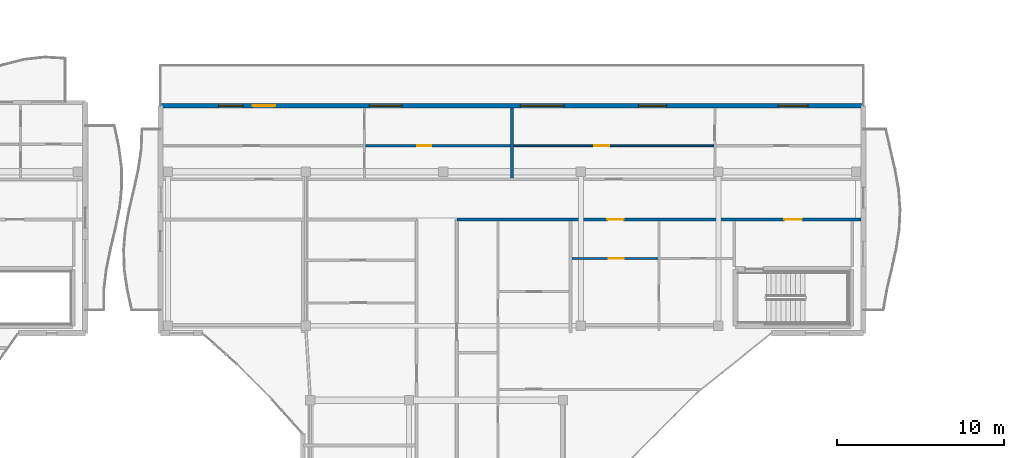
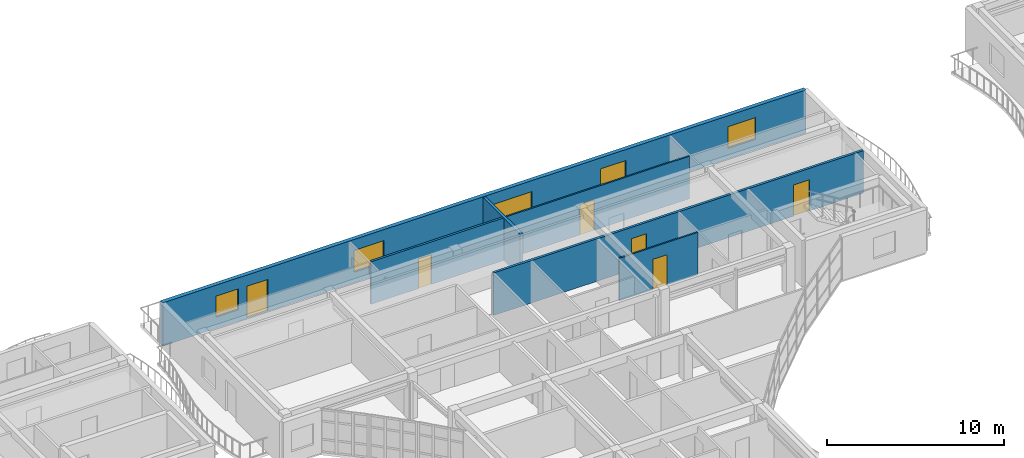
# One storey, part 35 of 68: 6 doors, 6 walls, 5 windows, 11 openings.
"""IFC4 building model written with IfcOpenShell, lengths in metres."""

from ifc_helpers import new_model, si_unit, direction, frame, frame_2d, origin, place, context, subcontext, project, spatial, rectangle, extrude, material, layer, layer_set, type_object, element, fill, save


model = new_model("IFC4")

# Units and contexts
model_context = context("Model", 3, precision=1e-05, world=origin(), true_north=direction((0.0, 1.0)))
body_context = subcontext(model_context, "Body", "Model", "MODEL_VIEW")
ifc_project = project(units=[si_unit("LENGTHUNIT", "METRE"), si_unit("AREAUNIT", "SQUARE_METRE"), si_unit("VOLUMEUNIT", "CUBIC_METRE"), si_unit("PLANEANGLEUNIT", "RADIAN"), si_unit("MASSUNIT", "GRAM", prefix="KILO")], contexts=[model_context])

# Site, building, storey
site_placement = place(None, origin())
site = spatial("IfcSite", under=ifc_project, at=site_placement, CompositionType="ELEMENT")
building_placement = place(site_placement, origin())
building = spatial("IfcBuilding", under=site, at=building_placement, Name="Keldmere Railside Commons", CompositionType="ELEMENT")
storey_placement = place(building_placement, frame((0.0, 0.0, 23.360107421875)))
storey = spatial("IfcBuildingStorey", under=building, at=storey_placement, Name="L07", CompositionType="ELEMENT", Elevation=23.360107421875)

# Wall
ifc_material_1 = material(Name="Acoustic Gypsum Board Partition", Category="gypsum")
ifc_layer_1 = layer(ifc_material_1, 0.179931640625, Name="Acoustic Demising Partition 180")
ifc_layer_set_1 = layer_set([ifc_layer_1], Name="Acoustic Gypsum Board Partition")
wall_type_1 = type_object("IfcWallType", Name="Acoustic Demising Partition 180", PredefinedType="PARTITIONING", material=ifc_layer_set_1)
wall_1_placement = place(storey_placement, frame((60.5, 109.280029296875, 0.0), z_axis=(0.0, 0.0, 1.0), x_axis=(0.0, 1.0, 0.0)))
element("IfcWall", 1, at=wall_1_placement, inside=storey, type_object=wall_type_1, Name="IW-1 IW-L07-0797", PredefinedType="PARTITIONING", context=body_context, shape_type="SweptSolid", body=[
    extrude(rectangle(XDim=4.18994140625, YDim=0.179931640625, at=frame_2d((2.094970703125, 0.0))), origin(), (0.0, 0.0, 1.0), 2.934814453125),
])

# Wall, opening, door
ifc_layer_2 = layer(ifc_material_1, 0.10009765625, Name="Closet Light Partition 100")
ifc_layer_set_2 = layer_set([ifc_layer_2], Name="Acoustic Gypsum Board Partition")
wall_type_2 = type_object("IfcWallType", Name="Closet Light Partition 100", PredefinedType="PARTITIONING", material=ifc_layer_set_2)
wall_2_placement = place(storey_placement, frame((60.590087890625, 111.2099609375, 0.0), z_axis=(0.0, 0.0, 1.0), x_axis=(1.0, 0.0, 0.0)))
wall_2 = element("IfcWall", 2, at=wall_2_placement, inside=storey, type_object=wall_type_2, Name="IW-6 IW-L07-0803", PredefinedType="PARTITIONING", context=body_context, shape_type="SweptSolid", body=[
    extrude(rectangle(XDim=11.969970703125, YDim=0.10009765625, at=frame_2d((5.98486328125, 0.0))), origin(), (0.0, 0.0, 1.0), 2.934814453125),
])
opening_1_placement = place(wall_2_placement, frame((4.81201171875, 0.0, 0.0)))
opening_1 = element("IfcOpeningElement", 3, at=opening_1_placement, cuts=wall_2, Name="Opening ID-03", PredefinedType="OPENING", context=body_context, shape_type="SweptSolid", body=[
    extrude(rectangle(XDim=0.919921875, YDim=2.10009765625, at=frame_2d((0.4599609375, 1.050048828125))), frame((0.0, 0.06005859375, 0.0), z_axis=(0.0, -1.0, 0.0), x_axis=(1.0, 0.0, 0.0)), (0.0, 0.0, 1.0), 0.1201171875),
])
ifc_material_2 = material(Name="Engineered Oak Timber", Category="wood")
door_type_1 = type_object("IfcDoorType", Name="Kitchen Pocket-Frame Swing Door 920x2100", OperationType="NOTDEFINED", PredefinedType="DOOR", material=ifc_material_2)
door_1_placement = place(opening_1_placement, origin())
door_1 = element("IfcDoor", 4, at=door_1_placement, inside=storey, type_object=door_type_1, Name="ID-03 IDR-L07-0686", OperationType="SINGLE_SWING_RIGHT", OverallHeight=2.10009765625, OverallWidth=0.919921875, PredefinedType="DOOR", context=body_context, shape_type="SweptSolid", body=[
    extrude(rectangle(XDim=0.919921875, YDim=2.10009765625, at=frame_2d((0.4599609375, 1.050048828125))), frame((0.0, 0.02490234375, 0.0), z_axis=(0.0, -1.0, 0.0), x_axis=(1.0, 0.0, 0.0)), (0.0, 0.0, 1.0), 0.050048828125),
])
fill(opening_1, door_1)

wall_3_placement = place(storey_placement, frame((64.090087890625, 104.469970703125, 0.0), z_axis=(0.0, 0.0, 1.0), x_axis=(1.0, 0.0, 0.0)))
wall_3 = element("IfcWall", 5, at=wall_3_placement, inside=storey, type_object=wall_type_2, Name="IW-6 IW-L07-0806", PredefinedType="PARTITIONING", context=body_context, shape_type="SweptSolid", body=[
    extrude(rectangle(XDim=5.1298828125, YDim=0.10009765625, at=frame_2d((2.56494140625, 0.0))), origin(), (0.0, 0.0, 1.0), 2.934814453125),
])
opening_2_placement = place(wall_3_placement, frame((2.1796875, 0.0, 0.0)))
opening_2 = element("IfcOpeningElement", 6, at=opening_2_placement, cuts=wall_3, Name="Opening ID-03", PredefinedType="OPENING", context=body_context, shape_type="SweptSolid", body=[
    extrude(rectangle(XDim=0.919921875, YDim=2.10009765625, at=frame_2d((0.4599609375, 1.050048828125))), frame((0.0, 0.06005859375, 0.0), z_axis=(0.0, -1.0, 0.0), x_axis=(1.0, 0.0, 0.0)), (0.0, 0.0, 1.0), 0.1201171875),
])
door_2_placement = place(opening_2_placement, origin())
door_2 = element("IfcDoor", 7, at=door_2_placement, inside=storey, type_object=door_type_1, Name="ID-03 IDR-L07-0690", OperationType="SINGLE_SWING_RIGHT", OverallHeight=2.10009765625, OverallWidth=0.919921875, PredefinedType="DOOR", context=body_context, shape_type="SweptSolid", body=[
    extrude(rectangle(XDim=0.919921875, YDim=2.10009765625, at=frame_2d((0.4599609375, 1.050048828125))), frame((0.0, 0.02490234375, 0.0), z_axis=(0.0, -1.0, 0.0), x_axis=(1.0, 0.0, 0.0)), (0.0, 0.0, 1.0), 0.050048828125),
])
fill(opening_2, door_2)

# Wall, openings, doors
ifc_layer_3 = layer(ifc_material_1, 0.159912109375, Name="Corridor Fire Partition 160")
ifc_layer_set_3 = layer_set([ifc_layer_3], Name="Acoustic Gypsum Board Partition")
wall_type_3 = type_object("IfcWallType", Name="Corridor Fire Partition 160", PredefinedType="PARTITIONING", material=ifc_layer_set_3)
wall_4_placement = place(storey_placement, frame((57.199951171875, 106.800048828125, 0.0), z_axis=(0.0, 0.0, 1.0), x_axis=(1.0, 0.0, 0.0)))
wall_4 = element("IfcWall", 8, at=wall_4_placement, inside=storey, type_object=wall_type_3, Name="IW-2 IW-L07-0775", PredefinedType="PARTITIONING", context=body_context, shape_type="SweptSolid", body=[
    extrude(rectangle(XDim=24.14013671875, YDim=0.159912109375, at=frame_2d((12.070068359375, 0.0))), origin(), (0.0, 0.0, 1.0), 2.934814453125),
])
opening_3_placement = place(wall_4_placement, frame((19.574951171875, 0.0, 0.0)))
opening_3 = element("IfcOpeningElement", 9, at=opening_3_placement, cuts=wall_4, Name="Opening FD-1", PredefinedType="OPENING", context=body_context, shape_type="SweptSolid", body=[
    extrude(rectangle(XDim=1.050048828125, YDim=2.14990234375, at=frame_2d((0.52490234375, 1.074951171875))), frame((0.0, 0.08984375, 0.0), z_axis=(0.0, -1.0, 0.0), x_axis=(1.0, 0.0, 0.0)), (0.0, 0.0, 1.0), 0.179931640625),
])
opening_4_placement = place(wall_4_placement, frame((8.9951171875, 0.0, 0.0)))
opening_4 = element("IfcOpeningElement", 10, at=opening_4_placement, cuts=wall_4, Name="Opening FD-7", PredefinedType="OPENING", context=body_context, shape_type="SweptSolid", body=[
    extrude(rectangle(XDim=0.97998046875, YDim=2.14990234375, at=frame_2d((0.489990234375, 1.074951171875))), frame((0.0, 0.08984375, 0.0), z_axis=(0.0, -1.0, 0.0), x_axis=(1.0, 0.0, 0.0)), (0.0, 0.0, 1.0), 0.179931640625),
])
door_type_2 = type_object("IfcDoorType", Name="Apartment Entrance Acoustic Fire Door 980x2150", OperationType="NOTDEFINED", PredefinedType="DOOR", material=ifc_material_2)
door_3_placement = place(opening_4_placement, origin())
door_3 = element("IfcDoor", 11, at=door_3_placement, inside=storey, type_object=door_type_2, Name="FD-7 IDR-L07-0689", OperationType="SINGLE_SWING_LEFT", OverallHeight=2.14990234375, OverallWidth=0.97998046875, PredefinedType="DOOR", context=body_context, shape_type="SweptSolid", body=[
    extrude(rectangle(XDim=0.97998046875, YDim=2.14990234375, at=frame_2d((0.489990234375, 1.074951171875))), frame((0.0, 0.02490234375, 0.0), z_axis=(0.0, -1.0, 0.0), x_axis=(1.0, 0.0, 0.0)), (0.0, 0.0, 1.0), 0.050048828125),
])
fill(opening_4, door_3)
ifc_material_3 = material(Name="Steel F-24 (S235)", Category="steel")
door_type_3 = type_object("IfcDoorType", Name="Stair Core Fire Door 1050x2150", OperationType="NOTDEFINED", PredefinedType="DOOR", material=ifc_material_3)
door_4_placement = place(opening_3_placement, origin())
door_4 = element("IfcDoor", 12, at=door_4_placement, inside=storey, type_object=door_type_3, Name="FD-1 IDR-L07-0660", OperationType="SINGLE_SWING_RIGHT", OverallHeight=2.14990234375, OverallWidth=1.050048828125, PredefinedType="DOOR", context=body_context, shape_type="SweptSolid", body=[
    extrude(rectangle(XDim=1.050048828125, YDim=2.14990234375, at=frame_2d((0.52490234375, 1.074951171875))), frame((0.0, 0.02490234375, 0.0), z_axis=(0.0, -1.0, 0.0), x_axis=(1.0, 0.0, 0.0)), (0.0, 0.0, 1.0), 0.050048828125),
])
fill(opening_3, door_4)

# Wall, openings, windows, door
ifc_material_4 = material(Name="Terracotta Brick Masonry", Category="masonry")
ifc_layer_4 = layer(ifc_material_4, 0.260009765625, Name="Terracotta Cavity Wall 260")
ifc_layer_set_4 = layer_set([ifc_layer_4], Name="Terracotta Brick Masonry")
wall_type_4 = type_object("IfcWallType", Name="Terracotta Cavity Wall 260", PredefinedType="SOLIDWALL", material=ifc_layer_set_4)
wall_5_placement = place(storey_placement, frame((39.5, 113.60009765625, 0.0), z_axis=(0.0, 0.0, 1.0), x_axis=(1.0, 0.0, 0.0)))
wall_5 = element("IfcWall", 13, at=wall_5_placement, inside=storey, type_object=wall_type_4, Name="EW-1 EXTC-L07-0384", PredefinedType="SOLIDWALL", context=body_context, shape_type="SweptSolid", body=[
    extrude(rectangle(XDim=42.0, YDim=0.260009765625, at=frame_2d((21.0, 0.0))), origin(), (0.0, 0.0, 1.0), 2.97998046875),
])
opening_5_placement = place(wall_5_placement, frame((5.5, 0.0, 0.0)))
opening_5 = element("IfcOpeningElement", 14, at=opening_5_placement, cuts=wall_5, Name="Opening BD-03", PredefinedType="OPENING", context=body_context, shape_type="SweptSolid", body=[
    extrude(rectangle(XDim=1.35009765625, YDim=2.199951171875, at=frame_2d((0.675048828125, 1.10009765625))), frame((0.0, 0.139892578125, 0.0), z_axis=(0.0, -1.0, 0.0), x_axis=(1.0, 0.0, 0.0)), (0.0, 0.0, 1.0), 0.280029296875),
])
opening_6_placement = place(wall_5_placement, frame((3.47509765625, 0.0, 0.77001953125)))
opening_6 = element("IfcOpeningElement", 15, at=opening_6_placement, cuts=wall_5, Name="Opening WN-24", PredefinedType="OPENING", context=body_context, shape_type="SweptSolid", body=[
    extrude(rectangle(XDim=1.449951171875, YDim=1.449951171875, at=frame_2d((0.72509765625, 0.72509765625))), frame((0.0, 0.139892578125, 0.0), z_axis=(0.0, -1.0, 0.0), x_axis=(1.0, 0.0, 0.0)), (0.0, 0.0, 1.0), 0.280029296875),
])
opening_7_placement = place(wall_5_placement, frame((12.47509765625, 0.0, 0.719970703125)))
opening_7 = element("IfcOpeningElement", 16, at=opening_7_placement, cuts=wall_5, Name="Opening WN-38", PredefinedType="OPENING", context=body_context, shape_type="SweptSolid", body=[
    extrude(rectangle(XDim=1.949951171875, YDim=1.5, at=frame_2d((0.97509765625, 0.75))), frame((0.0, 0.139892578125, 0.0), z_axis=(0.0, -1.0, 0.0), x_axis=(1.0, 0.0, 0.0)), (0.0, 0.0, 1.0), 0.280029296875),
])
opening_8_placement = place(wall_5_placement, frame((21.5, 0.0, 0.669921875)))
opening_8 = element("IfcOpeningElement", 17, at=opening_8_placement, cuts=wall_5, Name="Opening WN-39", PredefinedType="OPENING", context=body_context, shape_type="SweptSolid", body=[
    extrude(rectangle(XDim=2.60009765625, YDim=1.550048828125, at=frame_2d((1.300048828125, 0.77490234375))), frame((0.0, 0.139892578125, 0.0), z_axis=(0.0, -1.0, 0.0), x_axis=(1.0, 0.0, 0.0)), (0.0, 0.0, 1.0), 0.280029296875),
])
opening_9_placement = place(wall_5_placement, frame((28.56005859375, 0.0, 0.719970703125)))
opening_9 = element("IfcOpeningElement", 18, at=opening_9_placement, cuts=wall_5, Name="Opening WN-40", PredefinedType="OPENING", context=body_context, shape_type="SweptSolid", body=[
    extrude(rectangle(XDim=1.679931640625, YDim=1.5, at=frame_2d((0.83984375, 0.75))), frame((0.0, 0.139892578125, 0.0), z_axis=(0.0, -1.0, 0.0), x_axis=(1.0, 0.0, 0.0)), (0.0, 0.0, 1.0), 0.280029296875),
])
opening_10_placement = place(wall_5_placement, frame((36.89990234375, 0.0, 0.719970703125)))
opening_10 = element("IfcOpeningElement", 19, at=opening_10_placement, cuts=wall_5, Name="Opening WN-01", PredefinedType="OPENING", context=body_context, shape_type="SweptSolid", body=[
    extrude(rectangle(XDim=1.800048828125, YDim=1.5, at=frame_2d((0.89990234375, 0.75))), frame((0.0, 0.139892578125, 0.0), z_axis=(0.0, -1.0, 0.0), x_axis=(1.0, 0.0, 0.0)), (0.0, 0.0, 1.0), 0.280029296875),
])
ifc_material_5 = material(Name="Low-E Insulated Double Glazing", Category="glass")
window_type_1 = type_object("IfcWindowType", Name="Adaptable Apartment Wide Window 1950x1500", PartitioningType="SINGLE_PANEL", PredefinedType="WINDOW", material=ifc_material_5)
window_1_placement = place(opening_7_placement, origin())
window_1 = element("IfcWindow", 20, at=window_1_placement, inside=storey, type_object=window_type_1, Name="WN-38 WIN-L07-0296", OverallHeight=1.5, OverallWidth=1.949951171875, PartitioningType="SINGLE_PANEL", PredefinedType="WINDOW", context=body_context, shape_type="SweptSolid", body=[
    extrude(rectangle(XDim=1.949951171875, YDim=1.5, at=frame_2d((0.97509765625, 0.75))), frame((0.0, 0.030029296875, 0.0), z_axis=(0.0, -1.0, 0.0), x_axis=(1.0, 0.0, 0.0)), (0.0, 0.0, 1.0), 0.06005859375),
])
fill(opening_7, window_1)
window_type_2 = type_object("IfcWindowType", Name="Living Room North Casement Window 1800x1500", PartitioningType="SINGLE_PANEL", PredefinedType="WINDOW", material=ifc_material_5)
window_2_placement = place(opening_10_placement, origin())
window_2 = element("IfcWindow", 21, at=window_2_placement, inside=storey, type_object=window_type_2, Name="WN-01 WIN-L07-0299", OverallHeight=1.5, OverallWidth=1.800048828125, PartitioningType="SINGLE_PANEL", PredefinedType="WINDOW", context=body_context, shape_type="SweptSolid", body=[
    extrude(rectangle(XDim=1.800048828125, YDim=1.5, at=frame_2d((0.89990234375, 0.75))), frame((0.0, 0.030029296875, 0.0), z_axis=(0.0, -1.0, 0.0), x_axis=(1.0, 0.0, 0.0)), (0.0, 0.0, 1.0), 0.06005859375),
])
fill(opening_10, window_2)
ifc_material_6 = material(Name="Thermally Broken Aluminium", Category="aluminium")
door_type_4 = type_object("IfcDoorType", Name="Planted Roof-Terrace Lounge Door 1350x2200", OperationType="NOTDEFINED", PredefinedType="DOOR", material=ifc_material_6)
door_5_placement = place(opening_5_placement, origin())
door_5 = element("IfcDoor", 22, at=door_5_placement, inside=storey, type_object=door_type_4, Name="BD-03 DR-L07-0104", OperationType="SINGLE_SWING_RIGHT", OverallHeight=2.199951171875, OverallWidth=1.35009765625, PredefinedType="DOOR", context=body_context, shape_type="SweptSolid", body=[
    extrude(rectangle(XDim=1.35009765625, YDim=2.199951171875, at=frame_2d((0.675048828125, 1.10009765625))), frame((0.0, 0.02490234375, 0.0), z_axis=(0.0, -1.0, 0.0), x_axis=(1.0, 0.0, 0.0)), (0.0, 0.0, 1.0), 0.050048828125),
])
fill(opening_5, door_5)
window_type_3 = type_object("IfcWindowType", Name="Setback Terrace Bedroom Window 1450x1450", PartitioningType="SINGLE_PANEL", PredefinedType="WINDOW", material=ifc_material_5)
window_3_placement = place(opening_6_placement, origin())
window_3 = element("IfcWindow", 23, at=window_3_placement, inside=storey, type_object=window_type_3, Name="WN-24 WIN-L07-0295", OverallHeight=1.449951171875, OverallWidth=1.449951171875, PartitioningType="SINGLE_PANEL", PredefinedType="WINDOW", context=body_context, shape_type="SweptSolid", body=[
    extrude(rectangle(XDim=1.449951171875, YDim=1.449951171875, at=frame_2d((0.72509765625, 0.72509765625))), frame((0.0, 0.030029296875, 0.0), z_axis=(0.0, -1.0, 0.0), x_axis=(1.0, 0.0, 0.0)), (0.0, 0.0, 1.0), 0.06005859375),
])
fill(opening_6, window_3)
window_type_4 = type_object("IfcWindowType", Name="Three-Bed Corner Living Window 2600x1550", PartitioningType="SINGLE_PANEL", PredefinedType="WINDOW", material=ifc_material_5)
window_4_placement = place(opening_8_placement, origin())
window_4 = element("IfcWindow", 24, at=window_4_placement, inside=storey, type_object=window_type_4, Name="WN-39 WIN-L07-0297", OverallHeight=1.550048828125, OverallWidth=2.60009765625, PartitioningType="SINGLE_PANEL", PredefinedType="WINDOW", context=body_context, shape_type="SweptSolid", body=[
    extrude(rectangle(XDim=2.60009765625, YDim=1.550048828125, at=frame_2d((1.300048828125, 0.77490234375))), frame((0.0, 0.030029296875, 0.0), z_axis=(0.0, -1.0, 0.0), x_axis=(1.0, 0.0, 0.0)), (0.0, 0.0, 1.0), 0.06005859375),
])
fill(opening_8, window_4)
window_type_5 = type_object("IfcWindowType", Name="Two-Bed Dining Casement Window 1680x1500", PartitioningType="SINGLE_PANEL", PredefinedType="WINDOW", material=ifc_material_5)
window_5_placement = place(opening_9_placement, origin())
window_5 = element("IfcWindow", 25, at=window_5_placement, inside=storey, type_object=window_type_5, Name="WN-40 WIN-L07-0298", OverallHeight=1.5, OverallWidth=1.679931640625, PartitioningType="SINGLE_PANEL", PredefinedType="WINDOW", context=body_context, shape_type="SweptSolid", body=[
    extrude(rectangle(XDim=1.679931640625, YDim=1.5, at=frame_2d((0.83984375, 0.75))), frame((0.0, 0.030029296875, 0.0), z_axis=(0.0, -1.0, 0.0), x_axis=(1.0, 0.0, 0.0)), (0.0, 0.0, 1.0), 0.06005859375),
])
fill(opening_9, window_5)

# Wall, opening, door
ifc_layer_5 = layer(ifc_material_1, 0.139892578125, Name="Wet-Room Sanitary Partition 140")
ifc_layer_set_5 = layer_set([ifc_layer_5], Name="Acoustic Gypsum Board Partition")
wall_type_5 = type_object("IfcWallType", Name="Wet-Room Sanitary Partition 140", PredefinedType="PARTITIONING", material=ifc_layer_set_5)
wall_6_placement = place(storey_placement, frame((51.75, 111.2099609375, 0.0), z_axis=(0.0, 0.0, 1.0), x_axis=(1.0, 0.0, 0.0)))
wall_6 = element("IfcWall", 26, at=wall_6_placement, inside=storey, type_object=wall_type_5, Name="IW-5 IW-L07-0799", PredefinedType="PARTITIONING", context=body_context, shape_type="SweptSolid", body=[
    extrude(rectangle(XDim=8.659912109375, YDim=0.139892578125, at=frame_2d((4.330078125, 0.0))), origin(), (0.0, 0.0, 1.0), 2.934814453125),
])
opening_11_placement = place(wall_6_placement, frame((3.087890625, 0.0, 0.0)))
opening_11 = element("IfcOpeningElement", 27, at=opening_11_placement, cuts=wall_6, Name="Opening ID-06", PredefinedType="OPENING", context=body_context, shape_type="SweptSolid", body=[
    extrude(rectangle(XDim=0.85009765625, YDim=2.050048828125, at=frame_2d((0.425048828125, 1.02490234375))), frame((0.0, 0.079833984375, 0.0), z_axis=(0.0, -1.0, 0.0), x_axis=(1.0, 0.0, 0.0)), (0.0, 0.0, 1.0), 0.159912109375),
])
door_type_5 = type_object("IfcDoorType", Name="Storage Closet Door 850x2050", OperationType="NOTDEFINED", PredefinedType="DOOR", material=ifc_material_2)
door_6_placement = place(opening_11_placement, origin())
door_6 = element("IfcDoor", 28, at=door_6_placement, inside=storey, type_object=door_type_5, Name="ID-06 IDR-L07-0684", OperationType="SINGLE_SWING_RIGHT", OverallHeight=2.050048828125, OverallWidth=0.85009765625, PredefinedType="DOOR", context=body_context, shape_type="SweptSolid", body=[
    extrude(rectangle(XDim=0.85009765625, YDim=2.050048828125, at=frame_2d((0.425048828125, 1.02490234375))), frame((0.0, 0.02490234375, 0.0), z_axis=(0.0, -1.0, 0.0), x_axis=(1.0, 0.0, 0.0)), (0.0, 0.0, 1.0), 0.050048828125),
])
fill(opening_11, door_6)

save(model, "model.ifc")
